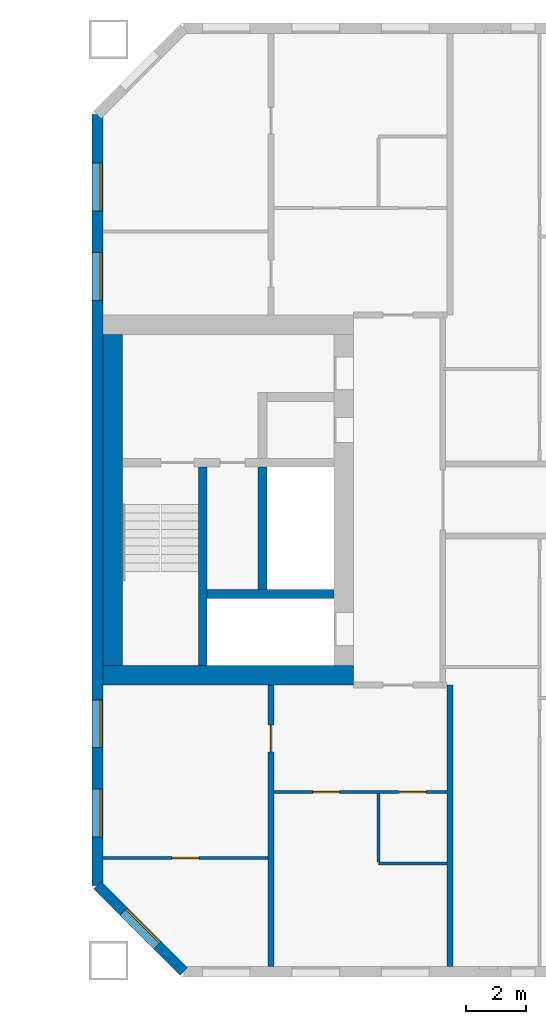
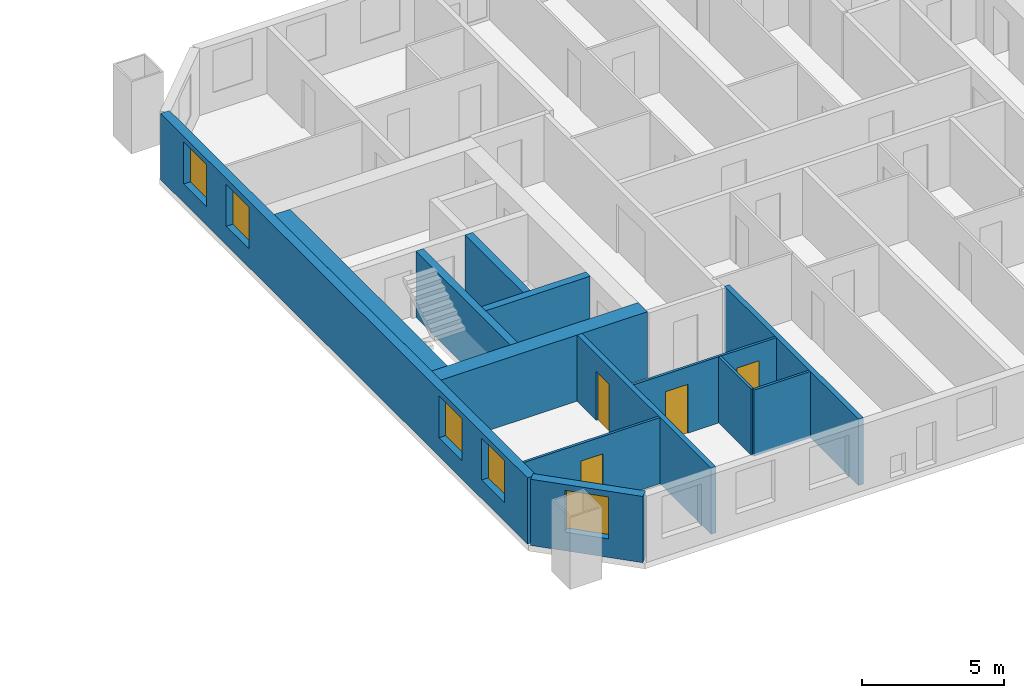
# One storey, part 9 of 17: 13 walls, 5 windows, 4 doors, 9 openings.
"""IFC4 building model written with IfcOpenShell, lengths in metres."""

import ifcopenshell
import ifcopenshell.guid

model = None  # the IFC model being written
_history = None  # IfcOwnerHistory: only IFC2X3 demands one
_inside = {}  # id of a spatial element -> (the spatial element, [elements in it])
_under = {}  # id of a project, library or spatial element -> (it, [spatial elements below it])
_declared = {}  # id of a project -> (the project, [libraries it declares])
_typed = {}  # id of a type object -> (the type object, [elements of that type])
_made_of = {}  # id of a material, layer set ... -> (it, [elements and type objects made of it])


def new_model(schema):
    """Start an empty IFC model of exactly this schema.

    Asked for "IFC4X3", IfcOpenShell would pick the latest addendum, in which some entities
    have other attributes; the version numbers below select the first issue.
    IFC2X3 requires an IfcOwnerHistory on every rooted entity: one is made here for all.
    """
    global model, _history
    if schema == "IFC4X3":
        model = ifcopenshell.file(schema_version=(4, 3, 0, 0))
    else:
        model = ifcopenshell.file(schema=schema)
    _inside.clear()
    _under.clear()
    _declared.clear()
    _typed.clear()
    _made_of.clear()
    _history = None
    if model.schema == "IFC2X3":
        org = make("IfcOrganization", Name="unknown")
        user = make(
            "IfcPersonAndOrganization",
            ThePerson=make("IfcPerson", FamilyName="unknown"),
            TheOrganization=org,
        )
        app = make(
            "IfcApplication",
            ApplicationDeveloper=org,
            Version="unknown",
            ApplicationFullName="unknown",
            ApplicationIdentifier="unknown",
        )
        _history = make(
            "IfcOwnerHistory",
            OwningUser=user,
            OwningApplication=app,
            ChangeAction="ADDED",
            CreationDate=0,
        )
    return model


def make(cls, **values):
    """One entity of the class cls with the attributes given. An attribute that is None is left unset."""
    return model.create_entity(
        cls, **{name: value for name, value in values.items() if value is not None}
    )


def rooted(cls, **values):
    """An entity with a GlobalId (a new one), such as an element, a storey or a relation."""
    return make(cls, GlobalId=ifcopenshell.guid.new(), OwnerHistory=_history, **values)


def si_unit(unit_type, name, prefix=None):
    """IfcSIUnit, for example si_unit("LENGTHUNIT", "METRE", prefix="MILLI")."""
    return make("IfcSIUnit", UnitType=unit_type, Prefix=prefix, Name=name)


def assignment(units):
    """IfcUnitAssignment: the units of a project."""
    return None if units is None else make("IfcUnitAssignment", Units=units)


def point(xyz):
    """IfcCartesianPoint."""
    return None if xyz is None else make("IfcCartesianPoint", Coordinates=xyz)


def direction(xyz):
    """IfcDirection."""
    return None if xyz is None else make("IfcDirection", DirectionRatios=xyz)


def frame(location, z_axis=None, x_axis=None):
    """IfcAxis2Placement3D, a coordinate frame: its origin and axes. An axis left out is left unset."""
    return make(
        "IfcAxis2Placement3D",
        Location=point(location),
        Axis=direction(z_axis),
        RefDirection=direction(x_axis),
    )


def frame_2d(location, x_axis=None):
    """IfcAxis2Placement2D, a coordinate frame in the plane: its origin and x axis."""
    return make(
        "IfcAxis2Placement2D", Location=point(location), RefDirection=direction(x_axis)
    )


def origin():
    """The frame at (0, 0, 0) with its axes left unset."""
    return frame((0.0, 0.0, 0.0))


def place(relative_to, where):
    """IfcLocalPlacement: puts the frame where relative to a parent placement (None: the world)."""
    return make(
        "IfcLocalPlacement", PlacementRelTo=relative_to, RelativePlacement=where
    )


def context(
    kind, dimensions, precision=None, world=None, true_north=None, identifier=None
):
    """IfcGeometricRepresentationContext, for example the 3D "Model" context."""
    return make(
        "IfcGeometricRepresentationContext",
        ContextIdentifier=identifier,
        ContextType=kind,
        CoordinateSpaceDimension=dimensions,
        Precision=precision,
        WorldCoordinateSystem=world,
        TrueNorth=true_north,
    )


def subcontext(parent, identifier, kind, view, scale=None):
    """IfcGeometricRepresentationSubContext, for example "Body" below "Model"."""
    return make(
        "IfcGeometricRepresentationSubContext",
        ContextIdentifier=identifier,
        ContextType=kind,
        ParentContext=parent,
        TargetScale=scale,
        TargetView=view,
    )


def project(units=None, contexts=None):
    """IfcProject with its units and contexts."""
    return rooted(
        "IfcProject",
        Name="project",
        RepresentationContexts=contexts,
        UnitsInContext=assignment(units),
    )


def spatial(cls, under=None, at=None, **own):
    """A site, building, storey or space (cls), placed at a placement, below another one or the project."""
    s = rooted(cls, ObjectPlacement=at, **own)
    if under is not None:
        _under.setdefault(under.id(), (under, []))[1].append(s)
    return s


def profile(cls, at=None, kind="AREA", **sizes):
    """A parametric profile (cls). Its sizes go by their IFC names, for example OverallWidth=200.0."""
    return make(cls, ProfileType=kind, Position=at, **sizes)


def rectangle(**sizes):
    """IfcRectangleProfileDef."""
    return profile("IfcRectangleProfileDef", **sizes)


def extrude(swept, where, along, depth):
    """IfcExtrudedAreaSolid: the profile swept, set in the frame where, extruded along a direction by depth."""
    return make(
        "IfcExtrudedAreaSolid",
        SweptArea=swept,
        Position=where,
        ExtrudedDirection=direction(along),
        Depth=depth,
    )


def shape(context_of_items, identifier, shape_type, items):
    """IfcShapeRepresentation: the items that make up one representation, for example the "Body"."""
    return make(
        "IfcShapeRepresentation",
        ContextOfItems=context_of_items,
        RepresentationIdentifier=identifier,
        RepresentationType=shape_type,
        Items=items,
    )


def material(Name=None, Category=None):
    """IfcMaterial."""
    return make("IfcMaterial", Name=Name, Category=Category)


def layer(
    of_material, thickness, ventilated=None, Name=None, Category=None, Priority=None
):
    """IfcMaterialLayer: one layer of a wall or slab, of a material (None: an air gap)."""
    return make(
        "IfcMaterialLayer",
        Material=of_material,
        LayerThickness=thickness,
        IsVentilated=ventilated,
        Name=Name,
        Category=Category,
        Priority=Priority,
    )


def layer_set(layers, Name=None):
    """IfcMaterialLayerSet."""
    return make("IfcMaterialLayerSet", MaterialLayers=layers, LayerSetName=Name)


def made_of(thing, what):
    """Note that an element or type object is made of a material, layer set ...; save() writes the relation."""
    if what is not None:
        _made_of.setdefault(what.id(), (what, []))[1].append(thing)
    return thing


def type_object(cls, material=None, **own):
    """A type object (cls), such as IfcWallType, which elements share."""
    return made_of(rooted(cls, **own), material)


def element(
    cls,
    number,
    at=None,
    inside=None,
    cuts=None,
    type_object=None,
    material=None,
    context=None,
    identifier="Body",
    shape_type=None,
    held_by="IfcProductDefinitionShape",
    body=None,
    shapes=None,
    **own,
):
    """One element of the class cls, such as IfcWall. Its Tag is "e" and its number.

    at: its placement. inside: the storey or other place that contains it. cuts: it is an
    opening in that element (IfcRelVoidsElement). A single representation is given by context,
    identifier, shape_type and body (its items); several are given by shapes. held_by: the class
    of the entity that holds the representations. save() writes the other relations.
    """
    e = rooted(cls, Tag="e%d" % number, ObjectPlacement=at, **own)
    if body is not None:
        shapes = [shape(context, identifier, shape_type, body)]
    if shapes is not None:
        e.Representation = make(held_by, Representations=shapes)
    if inside is not None:
        _inside.setdefault(inside.id(), (inside, []))[1].append(e)
    if cuts is not None:
        rooted(
            "IfcRelVoidsElement", RelatingBuildingElement=cuts, RelatedOpeningElement=e
        )
    if type_object is not None:
        _typed.setdefault(type_object.id(), (type_object, []))[1].append(e)
    return made_of(e, material)


def fill(opening, filler):
    """IfcRelFillsElement: the door or window that sits in an opening."""
    return rooted(
        "IfcRelFillsElement",
        RelatingOpeningElement=opening,
        RelatedBuildingElement=filler,
    )


def aggregate(whole, parts):
    """IfcRelAggregates: a whole, such as a stair, and the parts it consists of."""
    return rooted("IfcRelAggregates", RelatingObject=whole, RelatedObjects=parts)


def save(model, path):
    """Write the relations noted so far, then the file.

    IfcRelAggregates (storeys below a building ...), IfcRelContainedInSpatialStructure (elements
    in a storey), IfcRelDefinesByType, IfcRelAssociatesMaterial and IfcRelDeclares: one each for
    every whole, place, type object, material and project.
    """
    for whole, parts in _under.values():
        aggregate(whole, parts)
    for where, things in _inside.values():
        rooted(
            "IfcRelContainedInSpatialStructure",
            RelatedElements=things,
            RelatingStructure=where,
        )
    for kind, things in _typed.values():
        rooted("IfcRelDefinesByType", RelatedObjects=things, RelatingType=kind)
    for what, things in _made_of.values():
        rooted("IfcRelAssociatesMaterial", RelatedObjects=things, RelatingMaterial=what)
    for by, libraries in _declared.values():
        rooted("IfcRelDeclares", RelatingContext=by, RelatedDefinitions=libraries)
    model.write(path)


model = new_model("IFC4")

# Units and contexts
model_context = context("Model", 3, precision=1e-05, world=origin(), true_north=direction((0.0, 1.0)))
body_context = subcontext(model_context, "Body", "Model", "MODEL_VIEW")
ifc_project = project(units=[si_unit("LENGTHUNIT", "METRE"), si_unit("AREAUNIT", "SQUARE_METRE"), si_unit("VOLUMEUNIT", "CUBIC_METRE"), si_unit("PLANEANGLEUNIT", "RADIAN"), si_unit("MASSUNIT", "GRAM", prefix="KILO")], contexts=[model_context])

# Site, building, storey
site_placement = place(None, origin())
site = spatial("IfcSite", under=ifc_project, at=site_placement, CompositionType="ELEMENT")
building_placement = place(site_placement, origin())
building = spatial("IfcBuilding", under=site, at=building_placement, Name="Tuart Gate Housing", CompositionType="ELEMENT")
storey_placement = place(building_placement, frame((0.0, 0.0, 105.699951171875)))
storey = spatial("IfcBuildingStorey", under=building, at=storey_placement, Name="L29", CompositionType="ELEMENT", Elevation=105.699951171875)

# Wall, opening, window
ifc_material_1 = material(Name="Brick", Category="masonry")
ifc_layer_1 = layer(ifc_material_1, 0.360107421875)
ifc_layer_set_1 = layer_set([ifc_layer_1], Name="Brick pier and spandrel wall 360")
wall_type_1 = type_object("IfcWallType", Name="Brick pier and spandrel wall 360", PredefinedType="STANDARD", material=ifc_layer_set_1)
wall_1_placement = place(storey_placement, frame((131.179931640625, 57.07470703125, 0.0), z_axis=(0.0, 0.0, 1.0), x_axis=(0.707106781187, -0.707106781187, 0.0)))
wall_1 = element("IfcWall", 1, at=wall_1_placement, inside=storey, type_object=wall_type_1, Name="External wall B-SW L29", PredefinedType="STANDARD", context=body_context, shape_type="SweptSolid", body=[
    extrude(rectangle(XDim=4.09375, YDim=0.360107421875, at=frame_2d((2.046875, 0.0))), origin(), (0.0, 0.0, 1.0), 2.85009765625),
])
opening_1_placement = place(wall_1_placement, frame((1.2470703125, 0.0, 0.800048828125)))
opening_1 = element("IfcOpeningElement", 2, at=opening_1_placement, cuts=wall_1, Name="Opening W1", PredefinedType="OPENING", context=body_context, shape_type="SweptSolid", body=[
    extrude(rectangle(XDim=1.60009765625, YDim=1.800048828125, at=frame_2d((0.800048828125, 0.89990234375))), frame((0.0, 0.18994140625, 0.0), z_axis=(0.0, -1.0, 0.0), x_axis=(1.0, 0.0, 0.0)), (0.0, 0.0, 1.0), 0.380126953125),
])
ifc_material_2 = material(Name="Aluminium frame with clear glass", Category="aluminium")
window_type = type_object("IfcWindowType", Name="Punched window 1600 x 1800", PartitioningType="SINGLE_PANEL", PredefinedType="WINDOW", material=ifc_material_2)
window_1_placement = place(opening_1_placement, origin())
window_1 = element("IfcWindow", 3, at=window_1_placement, inside=storey, type_object=window_type, Name="Window W1", OverallHeight=1.800048828125, OverallWidth=1.60009765625, PartitioningType="SINGLE_PANEL", PredefinedType="WINDOW", context=body_context, shape_type="SweptSolid", body=[
    extrude(rectangle(XDim=1.60009765625, YDim=1.800048828125, at=frame_2d((0.800048828125, 0.89990234375))), frame((0.0, 0.150146484375, 0.0), z_axis=(0.0, -1.0, 0.0), x_axis=(1.0, 0.0, 0.0)), (0.0, 0.0, 1.0), 0.06005859375),
])
fill(opening_1, window_1)

# Wall, openings, windows
wall_2_placement = place(storey_placement, frame((131.179931640625, 82.92529296875, 0.0), z_axis=(0.0, 0.0, 1.0), x_axis=(0.0, -1.0, 0.0)))
wall_2 = element("IfcWall", 4, at=wall_2_placement, inside=storey, type_object=wall_type_1, Name="External wall B-W L29", PredefinedType="STANDARD", context=body_context, shape_type="SweptSolid", body=[
    extrude(rectangle(XDim=25.850830078125, YDim=0.360107421875, at=frame_2d((12.92529296875, 0.0))), origin(), (0.0, 0.0, 1.0), 2.85009765625),
])
opening_2_placement = place(wall_2_placement, frame((1.62548828125, 0.0, 0.800048828125)))
opening_2 = element("IfcOpeningElement", 5, at=opening_2_placement, cuts=wall_2, Name="Opening W1", PredefinedType="OPENING", context=body_context, shape_type="SweptSolid", body=[
    extrude(rectangle(XDim=1.60009765625, YDim=1.800048828125, at=frame_2d((0.800048828125, 0.89990234375))), frame((0.0, 0.18994140625, 0.0), z_axis=(0.0, -1.0, 0.0), x_axis=(1.0, 0.0, 0.0)), (0.0, 0.0, 1.0), 0.380126953125),
])
opening_3_placement = place(wall_2_placement, frame((4.62548828125, 0.0, 0.800048828125)))
opening_3 = element("IfcOpeningElement", 6, at=opening_3_placement, cuts=wall_2, Name="Opening W1", PredefinedType="OPENING", context=body_context, shape_type="SweptSolid", body=[
    extrude(rectangle(XDim=1.60009765625, YDim=1.800048828125, at=frame_2d((0.800048828125, 0.89990234375))), frame((0.0, 0.18994140625, 0.0), z_axis=(0.0, -1.0, 0.0), x_axis=(1.0, 0.0, 0.0)), (0.0, 0.0, 1.0), 0.380126953125),
])
opening_4_placement = place(wall_2_placement, frame((19.62548828125, 0.0, 0.800048828125)))
opening_4 = element("IfcOpeningElement", 7, at=opening_4_placement, cuts=wall_2, Name="Opening W1", PredefinedType="OPENING", context=body_context, shape_type="SweptSolid", body=[
    extrude(rectangle(XDim=1.60009765625, YDim=1.800048828125, at=frame_2d((0.800048828125, 0.89990234375))), frame((0.0, 0.18994140625, 0.0), z_axis=(0.0, -1.0, 0.0), x_axis=(1.0, 0.0, 0.0)), (0.0, 0.0, 1.0), 0.380126953125),
])
opening_5_placement = place(wall_2_placement, frame((22.62548828125, 0.0, 0.800048828125)))
opening_5 = element("IfcOpeningElement", 8, at=opening_5_placement, cuts=wall_2, Name="Opening W1", PredefinedType="OPENING", context=body_context, shape_type="SweptSolid", body=[
    extrude(rectangle(XDim=1.60009765625, YDim=1.800048828125, at=frame_2d((0.800048828125, 0.89990234375))), frame((0.0, 0.18994140625, 0.0), z_axis=(0.0, -1.0, 0.0), x_axis=(1.0, 0.0, 0.0)), (0.0, 0.0, 1.0), 0.380126953125),
])
window_2_placement = place(opening_2_placement, origin())
window_2 = element("IfcWindow", 9, at=window_2_placement, inside=storey, type_object=window_type, Name="Window W1", OverallHeight=1.800048828125, OverallWidth=1.60009765625, PartitioningType="SINGLE_PANEL", PredefinedType="WINDOW", context=body_context, shape_type="SweptSolid", body=[
    extrude(rectangle(XDim=1.60009765625, YDim=1.800048828125, at=frame_2d((0.800048828125, 0.89990234375))), frame((0.0, 0.150146484375, 0.0), z_axis=(0.0, -1.0, 0.0), x_axis=(1.0, 0.0, 0.0)), (0.0, 0.0, 1.0), 0.06005859375),
])
fill(opening_2, window_2)
window_3_placement = place(opening_3_placement, origin())
window_3 = element("IfcWindow", 10, at=window_3_placement, inside=storey, type_object=window_type, Name="Window W1", OverallHeight=1.800048828125, OverallWidth=1.60009765625, PartitioningType="SINGLE_PANEL", PredefinedType="WINDOW", context=body_context, shape_type="SweptSolid", body=[
    extrude(rectangle(XDim=1.60009765625, YDim=1.800048828125, at=frame_2d((0.800048828125, 0.89990234375))), frame((0.0, 0.150146484375, 0.0), z_axis=(0.0, -1.0, 0.0), x_axis=(1.0, 0.0, 0.0)), (0.0, 0.0, 1.0), 0.06005859375),
])
fill(opening_3, window_3)
window_4_placement = place(opening_4_placement, origin())
window_4 = element("IfcWindow", 11, at=window_4_placement, inside=storey, type_object=window_type, Name="Window W1", OverallHeight=1.800048828125, OverallWidth=1.60009765625, PartitioningType="SINGLE_PANEL", PredefinedType="WINDOW", context=body_context, shape_type="SweptSolid", body=[
    extrude(rectangle(XDim=1.60009765625, YDim=1.800048828125, at=frame_2d((0.800048828125, 0.89990234375))), frame((0.0, 0.150146484375, 0.0), z_axis=(0.0, -1.0, 0.0), x_axis=(1.0, 0.0, 0.0)), (0.0, 0.0, 1.0), 0.06005859375),
])
fill(opening_4, window_4)
window_5_placement = place(opening_5_placement, origin())
window_5 = element("IfcWindow", 12, at=window_5_placement, inside=storey, type_object=window_type, Name="Window W1", OverallHeight=1.800048828125, OverallWidth=1.60009765625, PartitioningType="SINGLE_PANEL", PredefinedType="WINDOW", context=body_context, shape_type="SweptSolid", body=[
    extrude(rectangle(XDim=1.60009765625, YDim=1.800048828125, at=frame_2d((0.800048828125, 0.89990234375))), frame((0.0, 0.150146484375, 0.0), z_axis=(0.0, -1.0, 0.0), x_axis=(1.0, 0.0, 0.0)), (0.0, 0.0, 1.0), 0.06005859375),
])
fill(opening_5, window_5)

# Walls
ifc_material_3 = material(Name="Concrete C50", Category="concrete")
ifc_layer_2 = layer(ifc_material_3, 0.300048828125)
ifc_layer_set_2 = layer_set([ifc_layer_2], Name="Core wall 300 C50")
wall_type_2 = type_object("IfcWallType", Name="Core wall 300 C50", PredefinedType="SHEAR", material=ifc_layer_set_2)
wall_3_placement = place(storey_placement, frame((139.110107421875, 66.85009765625, 0.0), z_axis=(0.0, 0.0, 1.0), x_axis=(-1.0, 0.0, 0.0)))
element("IfcWall", 13, at=wall_3_placement, inside=storey, type_object=wall_type_2, Name="Core wall BG.1", PredefinedType="SHEAR", context=body_context, shape_type="SweptSolid", body=[
    extrude(rectangle(XDim=4.25, YDim=0.300048828125, at=frame_2d((2.125, 0.0))), origin(), (0.0, 0.0, 1.0), 2.85009765625),
])
wall_4_placement = place(storey_placement, frame((136.7099609375, 67.0, 0.0), z_axis=(0.0, 0.0, 1.0), x_axis=(0.0, 1.0, 0.0)))
element("IfcWall", 14, at=wall_4_placement, inside=storey, type_object=wall_type_2, Name="Core wall BG.4", PredefinedType="SHEAR", context=body_context, shape_type="SweptSolid", body=[
    extrude(rectangle(XDim=4.10009765625, YDim=0.300048828125, at=frame_2d((2.050048828125, 0.0))), origin(), (0.0, 0.0, 1.0), 2.85009765625),
])
wall_5_placement = place(storey_placement, frame((134.7099609375, 64.449951171875, 0.0), z_axis=(0.0, 0.0, 1.0), x_axis=(0.0, 1.0, 0.0)))
element("IfcWall", 15, at=wall_5_placement, inside=storey, type_object=wall_type_2, Name="Core wall BG.6", PredefinedType="SHEAR", context=body_context, shape_type="SweptSolid", body=[
    extrude(rectangle(XDim=6.650146484375, YDim=0.300048828125, at=frame_2d((3.3251953125, 0.0))), origin(), (0.0, 0.0, 1.0), 2.85009765625),
])
ifc_material_4 = material(Name="Concrete C50", Category="concrete")
ifc_layer_3 = layer(ifc_material_4, 0.64990234375)
ifc_layer_set_3 = layer_set([ifc_layer_3], Name="Core wall 650 C50")
wall_type_3 = type_object("IfcWallType", Name="Core wall 650 C50", PredefinedType="SHEAR", material=ifc_layer_set_3)
wall_6_placement = place(storey_placement, frame((131.68505859375, 64.449951171875, 0.0), z_axis=(0.0, 0.0, 1.0), x_axis=(0.0, 1.0, 0.0)))
element("IfcWall", 16, at=wall_6_placement, inside=storey, type_object=wall_type_3, Name="Core wall BG back", PredefinedType="SHEAR", context=body_context, shape_type="SweptSolid", body=[
    extrude(rectangle(XDim=11.10009765625, YDim=0.64990234375, at=frame_2d((5.550048828125, 0.0))), origin(), (0.0, 0.0, 1.0), 2.85009765625),
])
wall_7_placement = place(storey_placement, frame((139.760009765625, 64.125, 0.0), z_axis=(0.0, 0.0, 1.0), x_axis=(-1.0, 0.0, 0.0)))
element("IfcWall", 17, at=wall_7_placement, inside=storey, type_object=wall_type_3, Name="Core wall BG south", PredefinedType="SHEAR", context=body_context, shape_type="SweptSolid", body=[
    extrude(rectangle(XDim=8.39990234375, YDim=0.64990234375, at=frame_2d((4.199951171875, 0.0))), origin(), (0.0, 0.0, 1.0), 2.85009765625),
])
ifc_material_5 = material(Name="Gypsum board on steel studs", Category="steel")
ifc_layer_4 = layer(ifc_material_5, 0.10009765625)
ifc_layer_set_4 = layer_set([ifc_layer_4], Name="Partition 100")
wall_type_4 = type_object("IfcWallType", Name="Partition 100", PredefinedType="PARTITIONING", material=ifc_layer_set_4)
wall_8_placement = place(storey_placement, frame((140.60009765625, 57.800048828125, 0.0), z_axis=(0.0, 0.0, 1.0), x_axis=(1.0, 0.0, 0.0)))
element("IfcWall", 18, at=wall_8_placement, inside=storey, type_object=wall_type_4, Name="Partition 100", PredefinedType="PARTITIONING", context=body_context, shape_type="SweptSolid", body=[
    extrude(rectangle(XDim=2.2998046875, YDim=0.10009765625, at=frame_2d((1.14990234375, 0.0))), origin(), (0.0, 0.0, 1.0), 2.85009765625),
])

# Wall, opening, door
wall_9_placement = place(storey_placement, frame((131.360107421875, 58.0, 0.0), z_axis=(0.0, 0.0, 1.0), x_axis=(1.0, 0.0, 0.0)))
wall_9 = element("IfcWall", 19, at=wall_9_placement, inside=storey, type_object=wall_type_4, Name="Partition 100", PredefinedType="PARTITIONING", context=body_context, shape_type="SweptSolid", body=[
    extrude(rectangle(XDim=5.539794921875, YDim=0.10009765625, at=frame_2d((2.77001953125, 0.0))), origin(), (0.0, 0.0, 1.0), 2.85009765625),
])
opening_6_placement = place(wall_9_placement, frame((2.320068359375, 0.0, 0.0)))
opening_6 = element("IfcOpeningElement", 20, at=opening_6_placement, cuts=wall_9, Name="Opening D1289", PredefinedType="OPENING", context=body_context, shape_type="SweptSolid", body=[
    extrude(rectangle(XDim=0.89990234375, YDim=2.10009765625, at=frame_2d((0.449951171875, 1.050048828125))), frame((0.0, 0.06005859375, 0.0), z_axis=(0.0, -1.0, 0.0), x_axis=(1.0, 0.0, 0.0)), (0.0, 0.0, 1.0), 0.1201171875),
])
ifc_material_6 = material(Name="Timber door leaf in steel frame", Category="steel")
door_type_1 = type_object("IfcDoorType", Name="Internal door 900 RH", OperationType="SINGLE_SWING_RIGHT", PredefinedType="DOOR", material=ifc_material_6)
door_1_placement = place(opening_6_placement, frame((0.89990234375, 0.0, 0.0), z_axis=(0.0, 0.0, 1.0), x_axis=(-1.0, 0.0, 0.0)))
door_1 = element("IfcDoor", 21, at=door_1_placement, inside=storey, type_object=door_type_1, Name="Internal door", OperationType="SINGLE_SWING_RIGHT", OverallHeight=2.10009765625, OverallWidth=0.89990234375, PredefinedType="DOOR", context=body_context, shape_type="SweptSolid", body=[
    extrude(rectangle(XDim=0.89990234375, YDim=2.10009765625, at=frame_2d((0.449951171875, 1.050048828125))), frame((0.0, 0.025146484375, 0.0), z_axis=(0.0, -1.0, 0.0), x_axis=(1.0, 0.0, 0.0)), (0.0, 0.0, 1.0), 0.050048828125),
])
fill(opening_6, door_1)

# Wall, openings, doors
wall_10_placement = place(storey_placement, frame((137.10009765625, 60.199951171875, 0.0), z_axis=(0.0, 0.0, 1.0), x_axis=(1.0, 0.0, 0.0)))
wall_10 = element("IfcWall", 22, at=wall_10_placement, inside=storey, type_object=wall_type_4, Name="Partition 100", PredefinedType="PARTITIONING", context=body_context, shape_type="SweptSolid", body=[
    extrude(rectangle(XDim=5.7998046875, YDim=0.10009765625, at=frame_2d((2.89990234375, 0.0))), origin(), (0.0, 0.0, 1.0), 2.85009765625),
])
opening_7_placement = place(wall_10_placement, frame((1.300048828125, 0.0, 0.0)))
opening_7 = element("IfcOpeningElement", 23, at=opening_7_placement, cuts=wall_10, Name="Opening D1284", PredefinedType="OPENING", context=body_context, shape_type="SweptSolid", body=[
    extrude(rectangle(XDim=0.89990234375, YDim=2.10009765625, at=frame_2d((0.449951171875, 1.050048828125))), frame((0.0, 0.06005859375, 0.0), z_axis=(0.0, -1.0, 0.0), x_axis=(1.0, 0.0, 0.0)), (0.0, 0.0, 1.0), 0.1201171875),
])
opening_8_placement = place(wall_10_placement, frame((4.199951171875, 0.0, 0.0)))
opening_8 = element("IfcOpeningElement", 24, at=opening_8_placement, cuts=wall_10, Name="Opening D1283", PredefinedType="OPENING", context=body_context, shape_type="SweptSolid", body=[
    extrude(rectangle(XDim=0.89990234375, YDim=2.10009765625, at=frame_2d((0.449951171875, 1.050048828125))), frame((0.0, 0.06005859375, 0.0), z_axis=(0.0, -1.0, 0.0), x_axis=(1.0, 0.0, 0.0)), (0.0, 0.0, 1.0), 0.1201171875),
])
ifc_material_7 = material(Name="Timber door leaf in steel frame", Category="steel")
door_type_2 = type_object("IfcDoorType", Name="Bathroom door 900 RH", OperationType="SINGLE_SWING_RIGHT", PredefinedType="DOOR", material=ifc_material_7)
door_2_placement = place(opening_8_placement, frame((0.89990234375, 0.0, 0.0), z_axis=(0.0, 0.0, 1.0), x_axis=(-1.0, 0.0, 0.0)))
door_2 = element("IfcDoor", 25, at=door_2_placement, inside=storey, type_object=door_type_2, Name="Bathroom door", OperationType="SINGLE_SWING_RIGHT", OverallHeight=2.10009765625, OverallWidth=0.89990234375, PredefinedType="DOOR", context=body_context, shape_type="SweptSolid", body=[
    extrude(rectangle(XDim=0.89990234375, YDim=2.10009765625, at=frame_2d((0.449951171875, 1.050048828125))), frame((0.0, 0.025146484375, 0.0), z_axis=(0.0, -1.0, 0.0), x_axis=(1.0, 0.0, 0.0)), (0.0, 0.0, 1.0), 0.050048828125),
])
fill(opening_8, door_2)
ifc_material_8 = material(Name="Timber door leaf in steel frame", Category="steel")
door_type_3 = type_object("IfcDoorType", Name="Internal door 900", OperationType="SINGLE_SWING_LEFT", PredefinedType="DOOR", material=ifc_material_8)
door_3_placement = place(opening_7_placement, frame((0.89990234375, 0.0, 0.0), z_axis=(0.0, 0.0, 1.0), x_axis=(-1.0, 0.0, 0.0)))
door_3 = element("IfcDoor", 26, at=door_3_placement, inside=storey, type_object=door_type_3, Name="Internal door", OperationType="SINGLE_SWING_LEFT", OverallHeight=2.10009765625, OverallWidth=0.89990234375, PredefinedType="DOOR", context=body_context, shape_type="SweptSolid", body=[
    extrude(rectangle(XDim=0.89990234375, YDim=2.10009765625, at=frame_2d((0.449951171875, 1.050048828125))), frame((0.0, 0.025146484375, 0.0), z_axis=(0.0, -1.0, 0.0), x_axis=(1.0, 0.0, 0.0)), (0.0, 0.0, 1.0), 0.050048828125),
])
fill(opening_7, door_3)

# Wall
wall_11_placement = place(storey_placement, frame((140.60009765625, 57.85009765625, 0.0), z_axis=(0.0, 0.0, 1.0), x_axis=(0.0, 1.0, 0.0)))
element("IfcWall", 27, at=wall_11_placement, inside=storey, type_object=wall_type_4, Name="Partition 100", PredefinedType="PARTITIONING", context=body_context, shape_type="SweptSolid", body=[
    extrude(rectangle(XDim=2.2998046875, YDim=0.10009765625, at=frame_2d((1.14990234375, 0.0))), origin(), (0.0, 0.0, 1.0), 2.85009765625),
])

# Wall, opening, door
ifc_material_9 = material(Name="Concrete C40", Category="concrete")
ifc_layer_5 = layer(ifc_material_9, 0.199951171875)
ifc_layer_set_5 = layer_set([ifc_layer_5], Name="Party wall concrete C40 200")
wall_type_5 = type_object("IfcWallType", Name="Party wall concrete C40 200", PredefinedType="SOLIDWALL", material=ifc_layer_set_5)
wall_12_placement = place(storey_placement, frame((137.0, 54.360107421875, 0.0), z_axis=(0.0, 0.0, 1.0), x_axis=(0.0, 1.0, 0.0)))
wall_12 = element("IfcWall", 28, at=wall_12_placement, inside=storey, type_object=wall_type_5, Name="Party wall concrete C40 200", PredefinedType="SOLIDWALL", context=body_context, shape_type="SweptSolid", body=[
    extrude(rectangle(XDim=9.43994140625, YDim=0.199951171875, at=frame_2d((4.719970703125, 0.0))), origin(), (0.0, 0.0, 1.0), 2.85009765625),
])
opening_9_placement = place(wall_12_placement, frame((7.18994140625, 0.0, 0.0)))
opening_9 = element("IfcOpeningElement", 29, at=opening_9_placement, cuts=wall_12, Name="Opening D1288", PredefinedType="OPENING", context=body_context, shape_type="SweptSolid", body=[
    extrude(rectangle(XDim=0.89990234375, YDim=2.10009765625, at=frame_2d((0.449951171875, 1.050048828125))), frame((0.0, 0.10986328125, 0.0), z_axis=(0.0, -1.0, 0.0), x_axis=(1.0, 0.0, 0.0)), (0.0, 0.0, 1.0), 0.219970703125),
])
door_4_placement = place(opening_9_placement, frame((0.89990234375, 0.0, 0.0), z_axis=(0.0, 0.0, 1.0), x_axis=(-1.0, 0.0, 0.0)))
door_4 = element("IfcDoor", 30, at=door_4_placement, inside=storey, type_object=door_type_1, Name="Internal door", OperationType="SINGLE_SWING_RIGHT", OverallHeight=2.10009765625, OverallWidth=0.89990234375, PredefinedType="DOOR", context=body_context, shape_type="SweptSolid", body=[
    extrude(rectangle(XDim=0.89990234375, YDim=2.10009765625, at=frame_2d((0.449951171875, 1.050048828125))), frame((0.0, 0.025146484375, 0.0), z_axis=(0.0, -1.0, 0.0), x_axis=(1.0, 0.0, 0.0)), (0.0, 0.0, 1.0), 0.050048828125),
])
fill(opening_9, door_4)

# Wall
wall_13_placement = place(storey_placement, frame((143.0, 54.360107421875, 0.0), z_axis=(0.0, 0.0, 1.0), x_axis=(0.0, 1.0, 0.0)))
element("IfcWall", 31, at=wall_13_placement, inside=storey, type_object=wall_type_5, Name="Party wall concrete C40 200", PredefinedType="SOLIDWALL", context=body_context, shape_type="SweptSolid", body=[
    extrude(rectangle(XDim=9.43994140625, YDim=0.199951171875, at=frame_2d((4.719970703125, 0.0))), origin(), (0.0, 0.0, 1.0), 2.85009765625),
])

save(model, "model.ifc")
